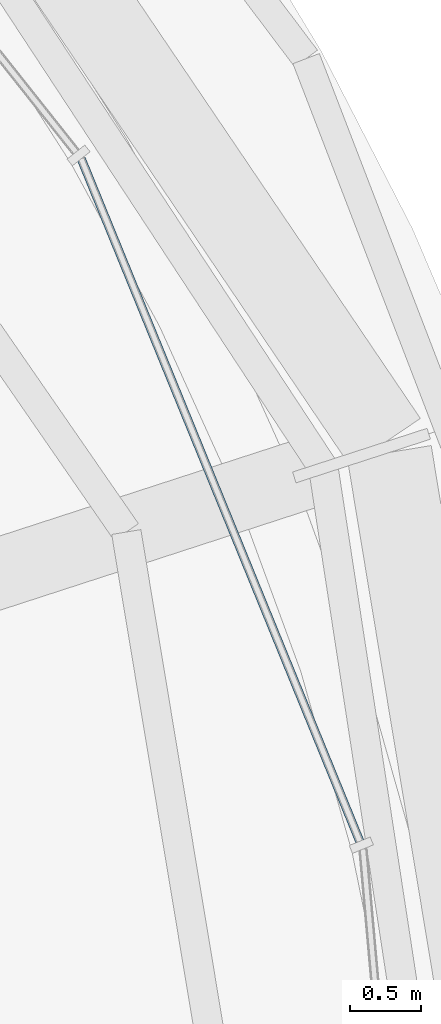
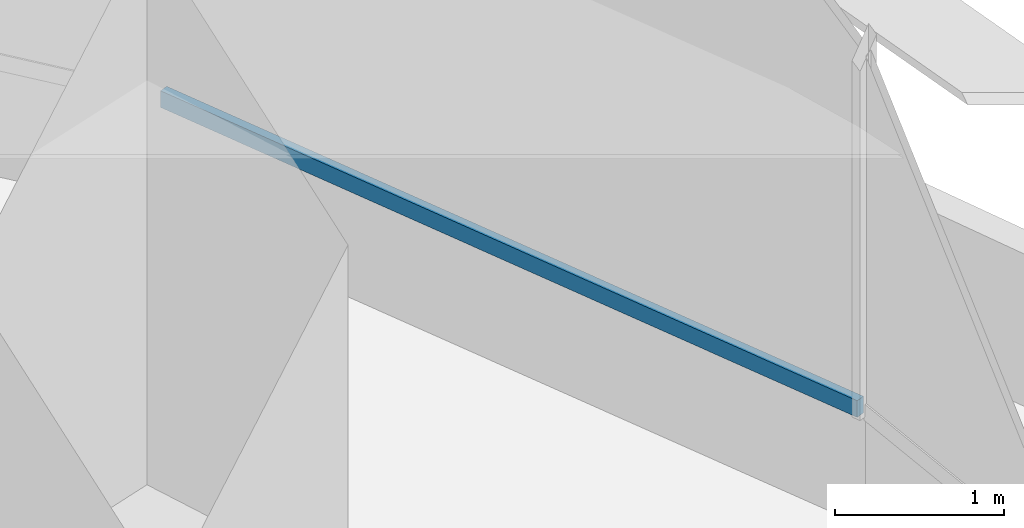
# One storey, part 6 of 15: 1 member, 1 element without a shape of its own.
"""IFC4 building model written with IfcOpenShell, lengths in metres."""

from ifc_helpers import new_model, si_unit, direction, frame, origin, origin_2d, place, context, subcontext, project, spatial, rectangle, extrude, material, material_profile, profile_set, type_object, element, aggregate, save


model = new_model("IFC4")

# Units and contexts
model_context = context("Model", 3, precision=1e-05, world=origin(), true_north=direction((0.0, 1.0)))
body_context = subcontext(model_context, "Body", "Model", "MODEL_VIEW")
ifc_project = project(units=[si_unit("LENGTHUNIT", "METRE"), si_unit("AREAUNIT", "SQUARE_METRE"), si_unit("VOLUMEUNIT", "CUBIC_METRE"), si_unit("PLANEANGLEUNIT", "RADIAN"), si_unit("MASSUNIT", "GRAM", prefix="KILO")], contexts=[model_context])

# Site, building, storey
site_placement = place(None, origin())
site = spatial("IfcSite", under=ifc_project, at=site_placement, CompositionType="ELEMENT")
building_placement = place(site_placement, origin())
building = spatial("IfcBuilding", under=site, at=building_placement, Name="Marramba Exchange Tower", CompositionType="ELEMENT")
storey_placement = place(building_placement, frame((0.0, 0.0, 92.39990234375)))
storey = spatial("IfcBuildingStorey", under=building, at=storey_placement, Name="L21", CompositionType="ELEMENT", Elevation=92.39990234375)

# Curtain wall, member
ifc_material_1 = material(Name="Aluminium framing, bronze anodised", Category="aluminium")
curtain_wall_type = type_object("IfcCurtainWallType", Name="Office ribbon curtain wall", PredefinedType="USERDEFINED", material=ifc_material_1)
curtain_wall_placement = place(storey_placement, origin())
curtain_wall = element("IfcCurtainWall", 1, at=curtain_wall_placement, inside=storey, type_object=curtain_wall_type, Name="Curtain wall CW4 L21 F01-F05", ObjectType="RIBBON CURTAIN WALL", PredefinedType="USERDEFINED")
ifc_material_2 = material(Name="Aluminium transom, bronze anodised", Category="aluminium")
ifc_material_profile = material_profile(ifc_material_2, rectangle(XDim=0.06005859375, YDim=0.1201171875, at=origin_2d()), Name="CW4 transom 60x120")
ifc_profile_set = profile_set([ifc_material_profile], Name="Aluminium transom, bronze anodised")
member_type = type_object("IfcMemberType", Name="Office ribbon curtain wall transom", PredefinedType="USERDEFINED", material=ifc_profile_set)
member_placement = place(storey_placement, frame((24.785888671875, 5.328857421875, 0.830078125), z_axis=(-0.377838039034, 0.925871706155, 0.0), x_axis=(-0.925871706155, -0.377838039034, 0.0)))
member = element("IfcMember", 2, at=member_placement, type_object=member_type, Name="CW4 sill transom", ObjectType="TRANSOM", PredefinedType="USERDEFINED", context=body_context, shape_type="SweptSolid", body=[
    extrude(rectangle(XDim=0.06005859375, YDim=0.1201171875, at=origin_2d()), origin(), (0.0, 0.0, 1.0), 5.2158203125),
])
aggregate(curtain_wall, [member])

save(model, "model.ifc")
